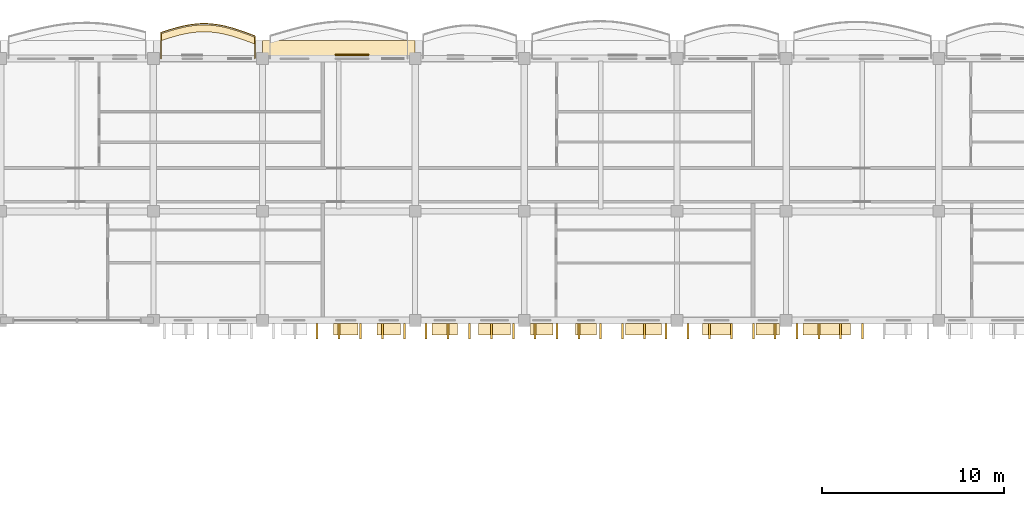
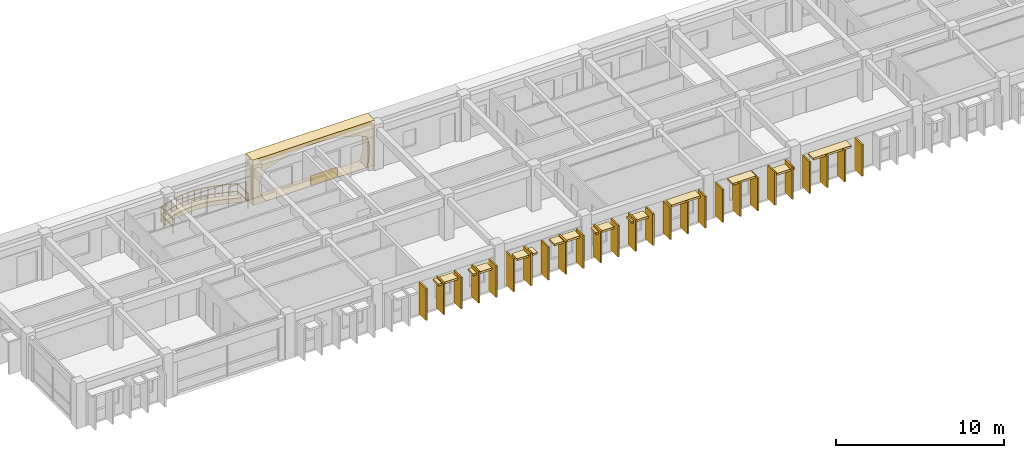
# One storey, part 65 of 79: 39 coverings, 1 railing.
"""IFC4 building model written with IfcOpenShell, lengths in metres."""

from ifc_helpers import new_model, si_unit, direction, frame, origin, origin_2d, place, context, subcontext, project, spatial, polyline, rectangle, outline, extrude, material, layer, layer_set, type_object, element, save


model = new_model("IFC4")

# Units and contexts
model_context = context("Model", 3, precision=1e-05, world=origin(), true_north=direction((0.0, 1.0)))
body_context = subcontext(model_context, "Body", "Model", "MODEL_VIEW")
ifc_project = project(units=[si_unit("LENGTHUNIT", "METRE"), si_unit("AREAUNIT", "SQUARE_METRE"), si_unit("VOLUMEUNIT", "CUBIC_METRE"), si_unit("PLANEANGLEUNIT", "RADIAN"), si_unit("MASSUNIT", "GRAM", prefix="KILO"), si_unit("THERMODYNAMICTEMPERATUREUNIT", "KELVIN")], contexts=[model_context])

# Site, building, storey
site_placement = place(None, origin())
site = spatial("IfcSite", under=ifc_project, at=site_placement, CompositionType="ELEMENT")
building_placement = place(site_placement, origin())
building = spatial("IfcBuilding", under=site, at=building_placement, Name="Thalorik Housing Commons", CompositionType="ELEMENT")
storey_placement = place(building_placement, frame((0.0, 0.0, 11.39990234375)))
storey = spatial("IfcBuildingStorey", under=building, at=storey_placement, Name="L03", CompositionType="ELEMENT", Elevation=11.39990234375)

# Coverings
ifc_material_1 = material(Name="Precast concrete C40/50", Category="concrete")
ifc_layer_1 = layer(ifc_material_1, 0.85009765625, Name="Precast concrete C40/50", Category="concrete")
ifc_layer_set_1 = layer_set([ifc_layer_1], Name="Precast concrete C40/50")
covering_type_1 = type_object("IfcCoveringType", Name="ARC-CLD-CUSH-850", PredefinedType="CLADDING", material=ifc_layer_set_1)
covering_1_placement = place(storey_placement, frame((105.0, 124.18505859375, 0.0), z_axis=(0.0, 0.0, 1.0), x_axis=(-1.0, 0.0, 0.0)))
element("IfcCovering", 1, at=covering_1_placement, inside=storey, type_object=covering_type_1, Name="L03 White Precast Curved Cushion Bay Frame 1866", PredefinedType="CLADDING", context=body_context, shape_type="SweptSolid", body=[
    extrude(outline(polyline([(-4.199951171875, 0.0), (4.199951171875, 0.0), (4.199951171875, 3.300048828125), (-4.199951171875, 3.300048828125), (-4.199951171875, 0.0)]), holes=[polyline([(3.284912109375, 0.02490234375), (3.543212890625, 0.404296875), (3.6982421875, 0.783203125), (3.75, 1.16259765625), (3.6982421875, 1.541748046875), (3.543212890625, 1.9208984375), (3.284912109375, 2.300048828125), (2.708740234375, 2.525390625), (2.132568359375, 2.7021484375), (1.556396484375, 2.845458984375), (0.97998046875, 2.951904296875), (0.40380859375, 3.017822265625), (-0.172607421875, 3.0400390625), (-0.748779296875, 3.017822265625), (-1.324951171875, 2.951904296875), (-1.9013671875, 2.845458984375), (-2.4775390625, 2.7021484375), (-3.0537109375, 2.525390625), (-3.6298828125, 2.300048828125), (-3.750244140625, 1.9208984375), (-3.822509765625, 1.541748046875), (-3.8466796875, 1.16259765625), (-3.822509765625, 0.783203125), (-3.750244140625, 0.404296875), (-3.6298828125, 0.02490234375), (3.284912109375, 0.02490234375)])]), frame((0.0, 0.425048828125, 0.0), z_axis=(0.0, -1.0, 0.0), x_axis=(1.0, 0.0, 0.0)), (0.0, 0.0, 1.0), 0.85009765625),
])
ifc_layer_2 = layer(ifc_material_1, 0.85009765625, Name="Precast concrete C40/50", Category="concrete")
ifc_layer_set_2 = layer_set([ifc_layer_2], Name="Precast concrete C40/50")
covering_type_2 = type_object("IfcCoveringType", Name="ARC-CLD-FIN-850", PredefinedType="CLADDING", material=ifc_layer_set_2)
for number, where, z_axis, x_axis, name in (
    (2, (103.800048828125, 108.614990234375, 0.0400390625), (0.0, 0.0, 1.0), (1.0, 0.0, 0.0), "L03 Courtyard Precast Vertical Brise-Soleil Fin 1900"),
    (3, (105.0, 108.614990234375, 0.0400390625), (0.0, 0.0, 1.0), (1.0, 0.0, 0.0), "L03 Courtyard Precast Vertical Brise-Soleil Fin 1901"),
    (4, (106.199951171875, 108.614990234375, 0.0400390625), (0.0, 0.0, 1.0), (1.0, 0.0, 0.0), "L03 Courtyard Precast Vertical Brise-Soleil Fin 1902"),
    (5, (107.39990234375, 108.614990234375, 0.0400390625), (0.0, 0.0, 1.0), (1.0, 0.0, 0.0), "L03 Courtyard Precast Vertical Brise-Soleil Fin 1903"),
    (6, (108.60009765625, 108.614990234375, 0.0400390625), (0.0, 0.0, 1.0), (1.0, 0.0, 0.0), "L03 Courtyard Precast Vertical Brise-Soleil Fin 1904"),
):
    element("IfcCovering", number, at=place(storey_placement, frame(where, z_axis=z_axis, x_axis=x_axis)), inside=storey, type_object=covering_type_2, Name=name, PredefinedType="CLADDING", context=body_context, shape_type="SweptSolid", body=[
        extrude(rectangle(XDim=0.110107421875, YDim=0.85009765625, at=origin_2d()), origin(), (0.0, 0.0, 1.0), 2.294921875),
    ])
for number, where, z_axis, x_axis, name in (
    (7, (109.800048828125, 108.614990234375, 0.0400390625), (0.0, 0.0, 1.0), (1.0, 0.0, 0.0), "L03 Courtyard Precast Vertical Brise-Soleil Fin 1908"),
    (8, (111.0, 108.614990234375, 0.0400390625), (0.0, 0.0, 1.0), (1.0, 0.0, 0.0), "L03 Courtyard Precast Vertical Brise-Soleil Fin 1909"),
    (9, (112.199951171875, 108.614990234375, 0.0400390625), (0.0, 0.0, 1.0), (1.0, 0.0, 0.0), "L03 Courtyard Precast Vertical Brise-Soleil Fin 1910"),
    (10, (113.39990234375, 108.614990234375, 0.0400390625), (0.0, 0.0, 1.0), (1.0, 0.0, 0.0), "L03 Courtyard Precast Vertical Brise-Soleil Fin 1911"),
    (11, (114.60009765625, 108.614990234375, 0.0400390625), (0.0, 0.0, 1.0), (1.0, 0.0, 0.0), "L03 Courtyard Precast Vertical Brise-Soleil Fin 1912"),
):
    element("IfcCovering", number, at=place(storey_placement, frame(where, z_axis=z_axis, x_axis=x_axis)), inside=storey, type_object=covering_type_2, Name=name, PredefinedType="CLADDING", context=body_context, shape_type="SweptSolid", body=[
        extrude(rectangle(XDim=0.110107421875, YDim=0.85009765625, at=origin_2d()), origin(), (0.0, 0.0, 1.0), 2.39501953125),
    ])
for number, where, z_axis, x_axis, name in (
    (12, (115.800048828125, 108.614990234375, 0.0400390625), (0.0, 0.0, 1.0), (1.0, 0.0, 0.0), "L03 Courtyard Precast Vertical Brise-Soleil Fin 1915"),
    (13, (117.0, 108.614990234375, 0.0400390625), (0.0, 0.0, 1.0), (1.0, 0.0, 0.0), "L03 Courtyard Precast Vertical Brise-Soleil Fin 1916"),
    (14, (118.199951171875, 108.614990234375, 0.0400390625), (0.0, 0.0, 1.0), (1.0, 0.0, 0.0), "L03 Courtyard Precast Vertical Brise-Soleil Fin 1917"),
    (15, (119.39990234375, 108.614990234375, 0.0400390625), (0.0, 0.0, 1.0), (1.0, 0.0, 0.0), "L03 Courtyard Precast Vertical Brise-Soleil Fin 1918"),
    (16, (120.60009765625, 108.614990234375, 0.0400390625), (0.0, 0.0, 1.0), (1.0, 0.0, 0.0), "L03 Courtyard Precast Vertical Brise-Soleil Fin 1919"),
    (17, (121.800048828125, 108.614990234375, 0.0400390625), (0.0, 0.0, 1.0), (1.0, 0.0, 0.0), "L03 Courtyard Precast Vertical Brise-Soleil Fin 1920"),
    (18, (123.0, 108.614990234375, 0.0400390625), (0.0, 0.0, 1.0), (1.0, 0.0, 0.0), "L03 Courtyard Precast Vertical Brise-Soleil Fin 1921"),
):
    element("IfcCovering", number, at=place(storey_placement, frame(where, z_axis=z_axis, x_axis=x_axis)), inside=storey, type_object=covering_type_2, Name=name, PredefinedType="CLADDING", context=body_context, shape_type="SweptSolid", body=[
        extrude(rectangle(XDim=0.110107421875, YDim=0.85009765625, at=origin_2d()), origin(), (0.0, 0.0, 1.0), 2.294921875),
    ])
for number, where, z_axis, x_axis, name in (
    (19, (124.199951171875, 108.614990234375, 0.0400390625), (0.0, 0.0, 1.0), (1.0, 0.0, 0.0), "L03 Courtyard Precast Vertical Brise-Soleil Fin 1925"),
    (20, (125.39990234375, 108.614990234375, 0.0400390625), (0.0, 0.0, 1.0), (1.0, 0.0, 0.0), "L03 Courtyard Precast Vertical Brise-Soleil Fin 1926"),
    (21, (126.60009765625, 108.614990234375, 0.0400390625), (0.0, 0.0, 1.0), (1.0, 0.0, 0.0), "L03 Courtyard Precast Vertical Brise-Soleil Fin 1927"),
    (22, (127.800048828125, 108.614990234375, 0.0400390625), (0.0, 0.0, 1.0), (1.0, 0.0, 0.0), "L03 Courtyard Precast Vertical Brise-Soleil Fin 1928"),
    (23, (129.0, 108.614990234375, 0.0400390625), (0.0, 0.0, 1.0), (1.0, 0.0, 0.0), "L03 Courtyard Precast Vertical Brise-Soleil Fin 1929"),
):
    element("IfcCovering", number, at=place(storey_placement, frame(where, z_axis=z_axis, x_axis=x_axis)), inside=storey, type_object=covering_type_2, Name=name, PredefinedType="CLADDING", context=body_context, shape_type="SweptSolid", body=[
        extrude(rectangle(XDim=0.110107421875, YDim=0.85009765625, at=origin_2d()), origin(), (0.0, 0.0, 1.0), 2.39501953125),
    ])
for number, where, z_axis, x_axis, name in (
    (24, (130.199951171875, 108.614990234375, 0.0400390625), (0.0, 0.0, 1.0), (1.0, 0.0, 0.0), "L03 Courtyard Precast Vertical Brise-Soleil Fin 1932"),
    (25, (131.39990234375, 108.614990234375, 0.0400390625), (0.0, 0.0, 1.0), (1.0, 0.0, 0.0), "L03 Courtyard Precast Vertical Brise-Soleil Fin 1933"),
    (26, (132.60009765625, 108.614990234375, 0.0400390625), (0.0, 0.0, 1.0), (1.0, 0.0, 0.0), "L03 Courtyard Precast Vertical Brise-Soleil Fin 1934"),
    (27, (133.800048828125, 108.614990234375, 0.0400390625), (0.0, 0.0, 1.0), (1.0, 0.0, 0.0), "L03 Courtyard Precast Vertical Brise-Soleil Fin 1935"),
):
    element("IfcCovering", number, at=place(storey_placement, frame(where, z_axis=z_axis, x_axis=x_axis)), inside=storey, type_object=covering_type_2, Name=name, PredefinedType="CLADDING", context=body_context, shape_type="SweptSolid", body=[
        extrude(rectangle(XDim=0.110107421875, YDim=0.85009765625, at=origin_2d()), origin(), (0.0, 0.0, 1.0), 2.294921875),
    ])
ifc_layer_3 = layer(ifc_material_1, 0.64990234375, Name="Precast concrete C40/50", Category="concrete")
ifc_layer_set_3 = layer_set([ifc_layer_3], Name="Precast concrete C40/50")
covering_type_3 = type_object("IfcCoveringType", Name="ARC-CLD-HOOD-650", PredefinedType="CLADDING", material=ifc_layer_set_3)
covering_2_placement = place(storey_placement, frame((105.37744140625, 108.715087890625, 2.09033203125), z_axis=(0.0, 0.0, 1.0), x_axis=(1.0, 0.0, 0.0)))
element("IfcCovering", 28, at=covering_2_placement, inside=storey, type_object=covering_type_3, Name="L03 Courtyard Precast Window Sun-Hood 1906", PredefinedType="CLADDING", context=body_context, shape_type="SweptSolid", body=[
    extrude(rectangle(XDim=1.340087890625, YDim=0.64990234375, at=origin_2d()), origin(), (0.0, 0.0, 1.0), 0.139892578125),
])
covering_3_placement = place(storey_placement, frame((107.75244140625, 108.715087890625, 1.990234375), z_axis=(0.0, 0.0, 1.0), x_axis=(1.0, 0.0, 0.0)))
element("IfcCovering", 29, at=covering_3_placement, inside=storey, type_object=covering_type_3, Name="L03 Courtyard Precast Window Sun-Hood 1907", PredefinedType="CLADDING", context=body_context, shape_type="SweptSolid", body=[
    extrude(rectangle(XDim=1.2900390625, YDim=0.64990234375, at=origin_2d()), origin(), (0.0, 0.0, 1.0), 0.139892578125),
])
covering_4_placement = place(storey_placement, frame((110.830078125, 108.715087890625, 2.0400390625), z_axis=(0.0, 0.0, 1.0), x_axis=(1.0, 0.0, 0.0)))
element("IfcCovering", 30, at=covering_4_placement, inside=storey, type_object=covering_type_3, Name="L03 Courtyard Precast Window Sun-Hood 1913", PredefinedType="CLADDING", context=body_context, shape_type="SweptSolid", body=[
    extrude(rectangle(XDim=1.389892578125, YDim=0.64990234375, at=origin_2d()), origin(), (0.0, 0.0, 1.0), 0.139892578125),
])
covering_5_placement = place(storey_placement, frame((113.570068359375, 108.715087890625, 2.2099609375), z_axis=(0.0, 0.0, 1.0), x_axis=(1.0, 0.0, 0.0)))
element("IfcCovering", 31, at=covering_5_placement, inside=storey, type_object=covering_type_3, Name="L03 Courtyard Precast Window Sun-Hood 1914", PredefinedType="CLADDING", context=body_context, shape_type="SweptSolid", body=[
    extrude(rectangle(XDim=1.760009765625, YDim=0.64990234375, at=origin_2d()), origin(), (0.0, 0.0, 1.0), 0.139892578125),
])
covering_6_placement = place(storey_placement, frame((116.169921875, 108.715087890625, 2.0400390625), z_axis=(0.0, 0.0, 1.0), x_axis=(1.0, 0.0, 0.0)))
element("IfcCovering", 32, at=covering_6_placement, inside=storey, type_object=covering_type_3, Name="L03 Courtyard Precast Window Sun-Hood 1922", PredefinedType="CLADDING", context=body_context, shape_type="SweptSolid", body=[
    extrude(rectangle(XDim=1.239990234375, YDim=0.64990234375, at=origin_2d()), origin(), (0.0, 0.0, 1.0), 0.139892578125),
])
covering_7_placement = place(storey_placement, frame((118.60009765625, 108.715087890625, 1.990234375), z_axis=(0.0, 0.0, 1.0), x_axis=(1.0, 0.0, 0.0)))
element("IfcCovering", 33, at=covering_7_placement, inside=storey, type_object=covering_type_3, Name="L03 Courtyard Precast Window Sun-Hood 1923", PredefinedType="CLADDING", context=body_context, shape_type="SweptSolid", body=[
    extrude(rectangle(XDim=1.139892578125, YDim=0.64990234375, at=origin_2d()), origin(), (0.0, 0.0, 1.0), 0.139892578125),
])
covering_8_placement = place(storey_placement, frame((121.760009765625, 108.715087890625, 2.22509765625), z_axis=(0.0, 0.0, 1.0), x_axis=(1.0, 0.0, 0.0)))
element("IfcCovering", 34, at=covering_8_placement, inside=storey, type_object=covering_type_3, Name="L03 Courtyard Precast Window Sun-Hood 1924", PredefinedType="CLADDING", context=body_context, shape_type="SweptSolid", body=[
    extrude(rectangle(XDim=1.989990234375, YDim=0.64990234375, at=origin_2d()), origin(), (0.0, 0.0, 1.0), 0.139892578125),
])
covering_9_placement = place(storey_placement, frame((125.784912109375, 108.715087890625, 2.3251953125), z_axis=(0.0, 0.0, 1.0), x_axis=(1.0, 0.0, 0.0)))
element("IfcCovering", 35, at=covering_9_placement, inside=storey, type_object=covering_type_3, Name="L03 Courtyard Precast Window Sun-Hood 1930", PredefinedType="CLADDING", context=body_context, shape_type="SweptSolid", body=[
    extrude(rectangle(XDim=1.590087890625, YDim=0.64990234375, at=origin_2d()), origin(), (0.0, 0.0, 1.0), 0.139892578125),
])
covering_10_placement = place(storey_placement, frame((128.594970703125, 108.715087890625, 1.990234375), z_axis=(0.0, 0.0, 1.0), x_axis=(1.0, 0.0, 0.0)))
element("IfcCovering", 36, at=covering_10_placement, inside=storey, type_object=covering_type_3, Name="L03 Courtyard Precast Window Sun-Hood 1931", PredefinedType="CLADDING", context=body_context, shape_type="SweptSolid", body=[
    extrude(rectangle(XDim=1.2900390625, YDim=0.64990234375, at=origin_2d()), origin(), (0.0, 0.0, 1.0), 0.139892578125),
])
covering_11_placement = place(storey_placement, frame((131.830078125, 108.715087890625, 2.22509765625), z_axis=(0.0, 0.0, 1.0), x_axis=(1.0, 0.0, 0.0)))
element("IfcCovering", 37, at=covering_11_placement, inside=storey, type_object=covering_type_3, Name="L03 Courtyard Precast Window Sun-Hood 1939", PredefinedType="CLADDING", context=body_context, shape_type="SweptSolid", body=[
    extrude(rectangle(XDim=2.6201171875, YDim=0.64990234375, at=origin_2d()), origin(), (0.0, 0.0, 1.0), 0.139892578125),
])
ifc_material_2 = material(Name="Mineral ochre architectural terracotta panel", Category="masonry")
ifc_layer_4 = layer(ifc_material_2, 0.06494140625, Name="Mineral ochre architectural terracotta panel", Category="masonry")
ifc_layer_set_4 = layer_set([ifc_layer_4], Name="Mineral ochre architectural terracotta panel")
covering_type_4 = type_object("IfcCoveringType", Name="ARC-CLD-YEL-65", PredefinedType="CLADDING", material=ifc_layer_set_4)
covering_12_placement = place(storey_placement, frame((105.72509765625, 123.797607421875, 0.05029296875), z_axis=(0.0, 0.0, 1.0), x_axis=(-1.0, 0.0, 0.0)))
element("IfcCovering", 38, at=covering_12_placement, inside=storey, type_object=covering_type_4, Name="L03 De Stijl Recessed Window Spandrel 1867", PredefinedType="CLADDING", context=body_context, shape_type="SweptSolid", body=[
    extrude(rectangle(XDim=1.820068359375, YDim=0.06494140625, at=origin_2d()), origin(), (0.0, 0.0, 1.0), 0.699951171875),
])
ifc_material_3 = material(Name="Planted vegetated substrate and terracotta trough", Category="masonry")
ifc_layer_5 = layer(ifc_material_3, 0.340087890625, Name="Planted vegetated substrate and terracotta trough", Category="masonry")
ifc_layer_set_5 = layer_set([ifc_layer_5], Name="Planted vegetated substrate and terracotta trough")
covering_type_5 = type_object("IfcCoveringType", Name="ARC-COV-PLANTER", PredefinedType="USERDEFINED", material=ifc_layer_set_5)
covering_13_placement = place(storey_placement, origin())
element("IfcCovering", 39, at=covering_13_placement, inside=storey, type_object=covering_type_5, Name="L03 Balcony Slab-Edge Planted Trough 5436", ObjectType="PLANTER", PredefinedType="USERDEFINED", context=body_context, shape_type="SweptSolid", body=[
    extrude(outline(polyline([(100.3798828125, 124.780517578125), (99.949951171875, 124.939208984375), (99.52001953125, 125.09130859375), (99.090087890625, 125.226318359375), (98.659912109375, 125.3359375), (98.22998046875, 125.41259765625), (97.800048828125, 125.451416015625), (97.3701171875, 125.450927734375), (96.93994140625, 125.411376953125), (96.510009765625, 125.33642578125), (96.080078125, 125.231689453125), (95.64990234375, 125.105224609375), (95.219970703125, 124.96630859375), (95.219970703125, 124.58642578125), (95.64990234375, 124.725341796875), (96.080078125, 124.851806640625), (96.510009765625, 124.956298828125), (96.93994140625, 125.031494140625), (97.3701171875, 125.07080078125), (97.800048828125, 125.071533203125), (98.22998046875, 125.032470703125), (98.659912109375, 124.955810546875), (99.090087890625, 124.846435546875), (99.52001953125, 124.711181640625), (99.949951171875, 124.55908203125), (100.3798828125, 124.400390625), (100.3798828125, 124.780517578125)])), origin(), (0.0, 0.0, 1.0), 0.340087890625),
])

# Railing
ifc_material_4 = material(Name="Steel S355", Category="steel")
railing_type = type_object("IfcRailingType", Name="ARC-RL-BAL-112", PredefinedType="BALUSTRADE", material=ifc_material_4)
railing_placement = place(storey_placement, frame((100.3798828125, 123.60009765625, 0.0)))
element("IfcRailing", 40, at=railing_placement, inside=storey, type_object=railing_type, Name="L03 Cushion Balcony Guardrail 120", PredefinedType="BALUSTRADE", context=body_context, shape_type="SweptSolid", body=[
    extrude(rectangle(XDim=0.050048828125, YDim=0.050048828125, at=origin_2d()), frame((0.0, 0.0, 1.09521484375), z_axis=(0.0, 1.0, 0.0), x_axis=(-1.0, 0.0, 0.0)), (0.0, 0.0, 1.0), 1.250244140625),
    extrude(rectangle(XDim=0.050048828125, YDim=0.050048828125, at=origin_2d()), frame((0.0, 0.0, 0.53515625), z_axis=(0.0, 1.0, 0.0), x_axis=(-1.0, 0.0, 0.0)), (0.0, 0.0, 1.0), 1.250244140625),
    extrude(rectangle(XDim=0.050048828125, YDim=0.050048828125, at=origin_2d()), frame((0.0, 1.250244140625, 1.09521484375), z_axis=(-0.938133751887, 0.346273105467, 0.0), x_axis=(-0.346273105467, -0.938133751887, 0.0)), (0.0, 0.0, 1.0), 0.458251953125),
    extrude(rectangle(XDim=0.050048828125, YDim=0.050048828125, at=origin_2d()), frame((0.0, 1.250244140625, 0.53515625), z_axis=(-0.938133751887, 0.346273105467, 0.0), x_axis=(-0.346273105467, -0.938133751887, 0.0)), (0.0, 0.0, 1.0), 0.458251953125),
    extrude(rectangle(XDim=0.050048828125, YDim=0.050048828125, at=origin_2d()), frame((-0.429931640625, 1.408935546875, 1.09521484375), z_axis=(-0.942742991297, 0.333520092889, 0.0), x_axis=(-0.333520092889, -0.942742991297, 0.0)), (0.0, 0.0, 1.0), 0.4560546875),
    extrude(rectangle(XDim=0.050048828125, YDim=0.050048828125, at=origin_2d()), frame((-0.429931640625, 1.408935546875, 0.53515625), z_axis=(-0.942742991297, 0.333520092889, 0.0), x_axis=(-0.333520092889, -0.942742991297, 0.0)), (0.0, 0.0, 1.0), 0.4560546875),
    extrude(rectangle(XDim=0.050048828125, YDim=0.050048828125, at=origin_2d()), frame((-0.85986328125, 1.56103515625, 1.09521484375), z_axis=(-0.953909569084, 0.300094208559, 0.0), x_axis=(-0.300094208559, -0.953909569084, 0.0)), (0.0, 0.0, 1.0), 0.45068359375),
    extrude(rectangle(XDim=0.050048828125, YDim=0.050048828125, at=origin_2d()), frame((-0.85986328125, 1.56103515625, 0.53515625), z_axis=(-0.953909569084, 0.300094208559, 0.0), x_axis=(-0.300094208559, -0.953909569084, 0.0)), (0.0, 0.0, 1.0), 0.45068359375),
    extrude(rectangle(XDim=0.050048828125, YDim=0.050048828125, at=origin_2d()), frame((-1.289794921875, 1.6962890625, 1.09521484375), z_axis=(-0.96903260007, 0.246932824876, 0.0), x_axis=(-0.246932824876, -0.96903260007, 0.0)), (0.0, 0.0, 1.0), 0.44384765625),
    extrude(rectangle(XDim=0.050048828125, YDim=0.050048828125, at=origin_2d()), frame((-1.289794921875, 1.6962890625, 0.53515625), z_axis=(-0.96903260007, 0.246932824876, 0.0), x_axis=(-0.246932824876, -0.96903260007, 0.0)), (0.0, 0.0, 1.0), 0.44384765625),
    extrude(rectangle(XDim=0.050048828125, YDim=0.050048828125, at=origin_2d()), frame((-1.719970703125, 1.805908203125, 1.09521484375), z_axis=(-0.984568930443, 0.174997203423, 0.0), x_axis=(-0.174997203423, -0.984568930443, 0.0)), (0.0, 0.0, 1.0), 0.436767578125),
    extrude(rectangle(XDim=0.050048828125, YDim=0.050048828125, at=origin_2d()), frame((-1.719970703125, 1.805908203125, 0.53515625), z_axis=(-0.984568930443, 0.174997203423, 0.0), x_axis=(-0.174997203423, -0.984568930443, 0.0)), (0.0, 0.0, 1.0), 0.436767578125),
    extrude(rectangle(XDim=0.050048828125, YDim=0.050048828125, at=origin_2d()), frame((-2.14990234375, 1.88232421875, 1.09521484375), z_axis=(-0.995897840652, 0.090484755539, 0.0), x_axis=(-0.090484755539, -0.995897840652, 0.0)), (0.0, 0.0, 1.0), 0.431640625),
    extrude(rectangle(XDim=0.050048828125, YDim=0.050048828125, at=origin_2d()), frame((-2.14990234375, 1.88232421875, 0.53515625), z_axis=(-0.995897840652, 0.090484755539, 0.0), x_axis=(-0.090484755539, -0.995897840652, 0.0)), (0.0, 0.0, 1.0), 0.431640625),
    extrude(rectangle(XDim=0.050048828125, YDim=0.050048828125, at=origin_2d()), frame((-2.579833984375, 1.92138671875, 1.09521484375), z_axis=(-0.999999355073, -0.001135717609, 0.0), x_axis=(0.001135717609, -0.999999355073, 0.0)), (0.0, 0.0, 1.0), 0.429931640625),
    extrude(rectangle(XDim=0.050048828125, YDim=0.050048828125, at=origin_2d()), frame((-2.579833984375, 1.92138671875, 0.53515625), z_axis=(-0.999999355073, -0.001135717609, 0.0), x_axis=(0.001135717609, -0.999999355073, 0.0)), (0.0, 0.0, 1.0), 0.429931640625),
    extrude(rectangle(XDim=0.050048828125, YDim=0.050048828125, at=origin_2d()), frame((-3.009765625, 1.9208984375, 1.09521484375), z_axis=(-0.99580003694, -0.09155482746, 0.0), x_axis=(0.09155482746, -0.99580003694, 0.0)), (0.0, 0.0, 1.0), 0.431884765625),
    extrude(rectangle(XDim=0.050048828125, YDim=0.050048828125, at=origin_2d()), frame((-3.009765625, 1.9208984375, 0.53515625), z_axis=(-0.99580003694, -0.09155482746, 0.0), x_axis=(0.09155482746, -0.99580003694, 0.0)), (0.0, 0.0, 1.0), 0.431884765625),
    extrude(rectangle(XDim=0.050048828125, YDim=0.050048828125, at=origin_2d()), frame((-3.43994140625, 1.88134765625, 1.09521484375), z_axis=(-0.985141873648, -0.171742507217, 0.0), x_axis=(0.171742507217, -0.985141873648, 0.0)), (0.0, 0.0, 1.0), 0.4365234375),
    extrude(rectangle(XDim=0.050048828125, YDim=0.050048828125, at=origin_2d()), frame((-3.43994140625, 1.88134765625, 0.53515625), z_axis=(-0.985141873648, -0.171742507217, 0.0), x_axis=(0.171742507217, -0.985141873648, 0.0)), (0.0, 0.0, 1.0), 0.4365234375),
    extrude(rectangle(XDim=0.050048828125, YDim=0.050048828125, at=origin_2d()), frame((-3.869873046875, 1.806396484375, 1.09521484375), z_axis=(-0.971585356615, -0.236689448034, 0.0), x_axis=(0.236689448034, -0.971585356615, 0.0)), (0.0, 0.0, 1.0), 0.442626953125),
    extrude(rectangle(XDim=0.050048828125, YDim=0.050048828125, at=origin_2d()), frame((-3.869873046875, 1.806396484375, 0.53515625), z_axis=(-0.971585356615, -0.236689448034, 0.0), x_axis=(0.236689448034, -0.971585356615, 0.0)), (0.0, 0.0, 1.0), 0.442626953125),
    extrude(rectangle(XDim=0.050048828125, YDim=0.050048828125, at=origin_2d()), frame((-4.2998046875, 1.70166015625, 1.09521484375), z_axis=(-0.959400175534, -0.282048405747, 0.0), x_axis=(0.282048405747, -0.959400175534, 0.0)), (0.0, 0.0, 1.0), 0.448486328125),
    extrude(rectangle(XDim=0.050048828125, YDim=0.050048828125, at=origin_2d()), frame((-4.2998046875, 1.70166015625, 0.53515625), z_axis=(-0.959400175534, -0.282048405747, 0.0), x_axis=(0.282048405747, -0.959400175534, 0.0)), (0.0, 0.0, 1.0), 0.448486328125),
    extrude(rectangle(XDim=0.050048828125, YDim=0.050048828125, at=origin_2d()), frame((-4.72998046875, 1.5751953125, 1.09521484375), z_axis=(-0.951560814665, -0.307460592586, 0.0), x_axis=(0.307460592586, -0.951560814665, 0.0)), (0.0, 0.0, 1.0), 0.451904296875),
    extrude(rectangle(XDim=0.050048828125, YDim=0.050048828125, at=origin_2d()), frame((-4.72998046875, 1.5751953125, 0.53515625), z_axis=(-0.951560814665, -0.307460592586, 0.0), x_axis=(0.307460592586, -0.951560814665, 0.0)), (0.0, 0.0, 1.0), 0.451904296875),
    extrude(rectangle(XDim=0.050048828125, YDim=0.050048828125, at=origin_2d()), frame((-5.159912109375, 1.436279296875, 1.09521484375), z_axis=(0.0, -1.0, 0.0), x_axis=(1.0, 0.0, 0.0)), (0.0, 0.0, 1.0), 1.436279296875),
    extrude(rectangle(XDim=0.050048828125, YDim=0.050048828125, at=origin_2d()), frame((-5.159912109375, 1.436279296875, 0.53515625), z_axis=(0.0, -1.0, 0.0), x_axis=(1.0, 0.0, 0.0)), (0.0, 0.0, 1.0), 1.436279296875),
    extrude(rectangle(XDim=0.0419921875, YDim=0.0419921875, at=origin_2d()), origin(), (0.0, 0.0, 1.0), 1.070068359375),
    extrude(rectangle(XDim=0.0419921875, YDim=0.0419921875, at=origin_2d()), frame((0.0, 1.250244140625, 0.0)), (0.0, 0.0, 1.0), 1.070068359375),
    extrude(rectangle(XDim=0.0419921875, YDim=0.0419921875, at=origin_2d()), frame((-0.429931640625, 1.408935546875, 0.0)), (0.0, 0.0, 1.0), 1.070068359375),
    extrude(rectangle(XDim=0.0419921875, YDim=0.0419921875, at=origin_2d()), frame((-0.85986328125, 1.56103515625, 0.0)), (0.0, 0.0, 1.0), 1.070068359375),
    extrude(rectangle(XDim=0.0419921875, YDim=0.0419921875, at=origin_2d()), frame((-1.289794921875, 1.6962890625, 0.0)), (0.0, 0.0, 1.0), 1.070068359375),
    extrude(rectangle(XDim=0.0419921875, YDim=0.0419921875, at=origin_2d()), frame((-1.719970703125, 1.805908203125, 0.0)), (0.0, 0.0, 1.0), 1.070068359375),
    extrude(rectangle(XDim=0.0419921875, YDim=0.0419921875, at=origin_2d()), frame((-2.14990234375, 1.88232421875, 0.0)), (0.0, 0.0, 1.0), 1.070068359375),
    extrude(rectangle(XDim=0.0419921875, YDim=0.0419921875, at=origin_2d()), frame((-2.579833984375, 1.92138671875, 0.0)), (0.0, 0.0, 1.0), 1.070068359375),
    extrude(rectangle(XDim=0.0419921875, YDim=0.0419921875, at=origin_2d()), frame((-3.009765625, 1.9208984375, 0.0)), (0.0, 0.0, 1.0), 1.070068359375),
    extrude(rectangle(XDim=0.0419921875, YDim=0.0419921875, at=origin_2d()), frame((-3.43994140625, 1.88134765625, 0.0)), (0.0, 0.0, 1.0), 1.070068359375),
    extrude(rectangle(XDim=0.0419921875, YDim=0.0419921875, at=origin_2d()), frame((-3.869873046875, 1.806396484375, 0.0)), (0.0, 0.0, 1.0), 1.070068359375),
    extrude(rectangle(XDim=0.0419921875, YDim=0.0419921875, at=origin_2d()), frame((-4.2998046875, 1.70166015625, 0.0)), (0.0, 0.0, 1.0), 1.070068359375),
    extrude(rectangle(XDim=0.0419921875, YDim=0.0419921875, at=origin_2d()), frame((-4.72998046875, 1.5751953125, 0.0)), (0.0, 0.0, 1.0), 1.070068359375),
    extrude(rectangle(XDim=0.0419921875, YDim=0.0419921875, at=origin_2d()), frame((-5.159912109375, 1.436279296875, 0.0)), (0.0, 0.0, 1.0), 1.070068359375),
    extrude(rectangle(XDim=0.0419921875, YDim=0.0419921875, at=origin_2d()), frame((-5.159912109375, 0.0, 0.0)), (0.0, 0.0, 1.0), 1.070068359375),
])

save(model, "model.ifc")
